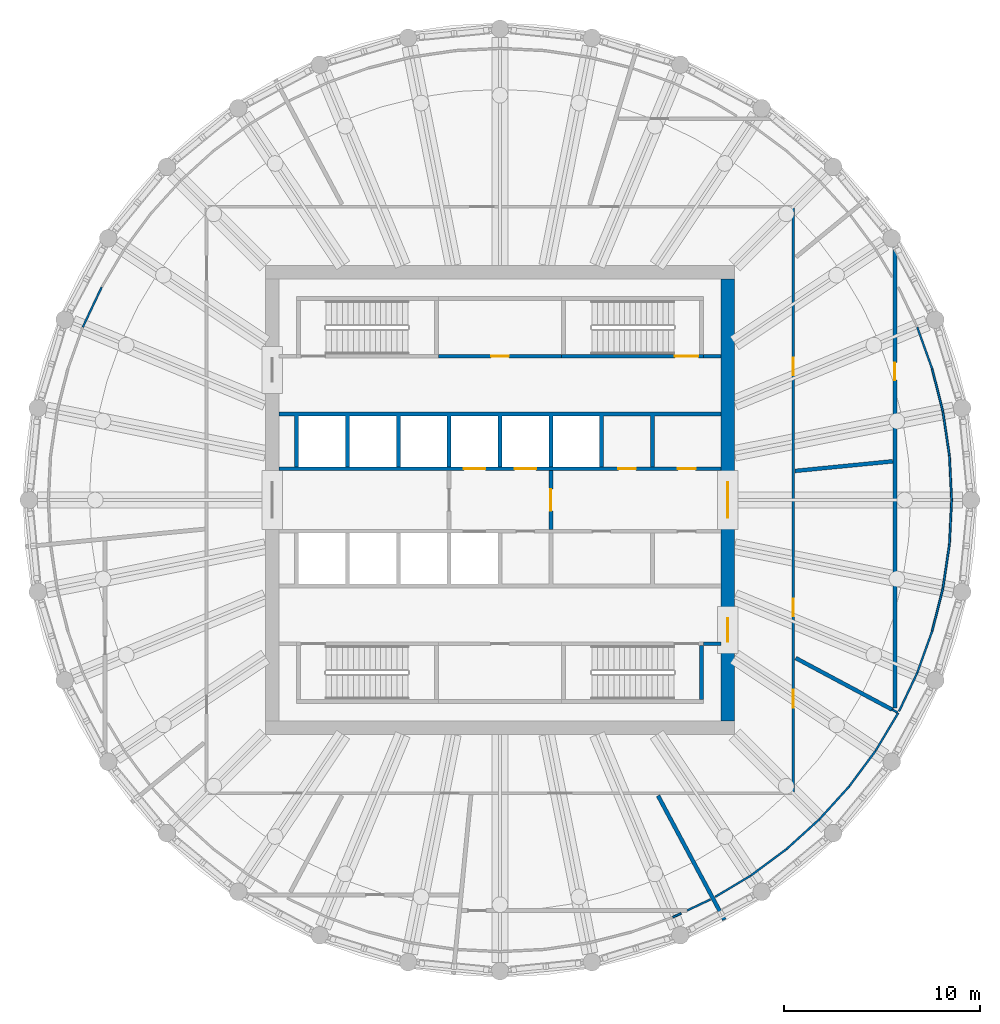
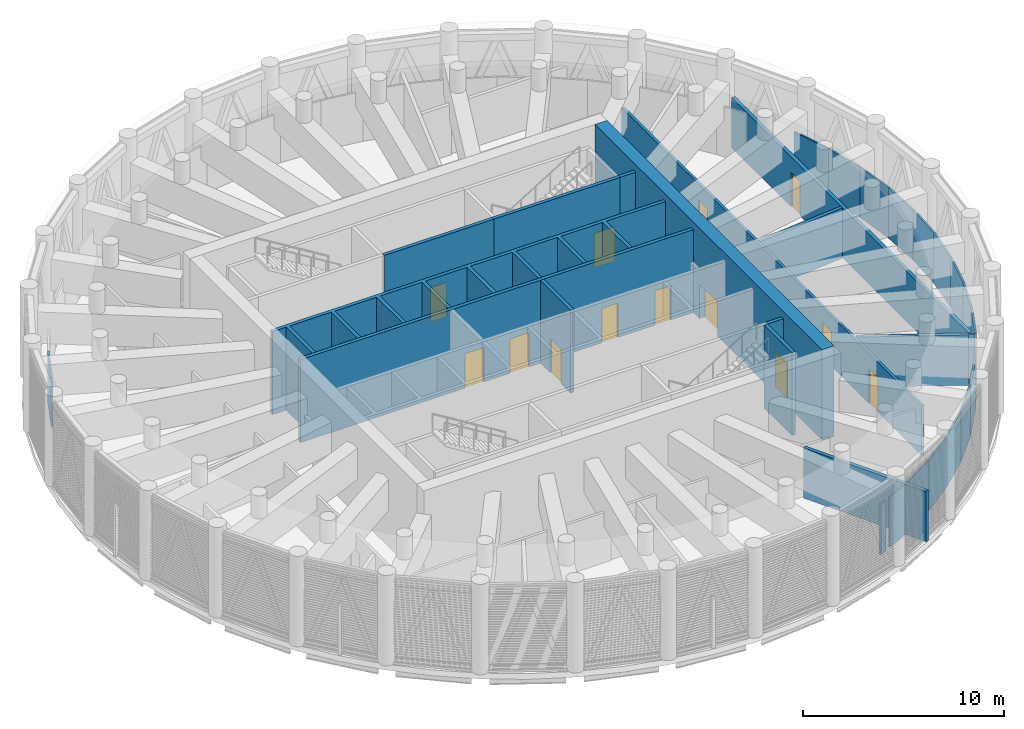
# One storey, part 7 of 19: 33 walls, 13 doors, 13 openings.
"""IFC4 building model written with IfcOpenShell, lengths in metres."""

from ifc_helpers import new_model, si_unit, direction, frame, frame_2d, origin, place, context, subcontext, project, spatial, polyline, rectangle, outline, extrude, material, layer, layer_set, type_object, element, fill, save


model = new_model("IFC4")

# Units and contexts
model_context = context("Model", 3, precision=1e-05, world=origin(), true_north=direction((0.0, 1.0)))
body_context = subcontext(model_context, "Body", "Model", "MODEL_VIEW")
ifc_project = project(units=[si_unit("LENGTHUNIT", "METRE"), si_unit("AREAUNIT", "SQUARE_METRE"), si_unit("VOLUMEUNIT", "CUBIC_METRE"), si_unit("PLANEANGLEUNIT", "RADIAN"), si_unit("MASSUNIT", "GRAM", prefix="KILO")], contexts=[model_context])

# Site, building, storey
site_placement = place(None, origin())
site = spatial("IfcSite", under=ifc_project, at=site_placement, CompositionType="ELEMENT")
building_placement = place(site_placement, origin())
building = spatial("IfcBuilding", under=site, at=building_placement, Name="Corvane Civic Tower", CompositionType="ELEMENT")
storey_placement = place(building_placement, frame((0.0, 0.0, 319.0)))
storey = spatial("IfcBuildingStorey", under=building, at=storey_placement, Name="L76", CompositionType="ELEMENT", Elevation=319.0)

# Wall, openings, doors
ifc_material_1 = material(Name="Concrete C40/50", Category="concrete")
ifc_layer_1 = layer(ifc_material_1, 0.699951171875)
ifc_layer_set_1 = layer_set([ifc_layer_1], Name="Concrete C40/50")
wall_type_1 = type_object("IfcWallType", Name="CORE WALL 700 C40/50", PredefinedType="SHEAR", material=ifc_layer_set_1)
wall_1_placement = place(storey_placement, frame((11.64990234375, -11.300048828125, 0.0), z_axis=(0.0, 0.0, 1.0), x_axis=(0.0, 1.0, 0.0)))
wall_1 = element("IfcWall", 1, at=wall_1_placement, inside=storey, type_object=wall_type_1, Name="W-L76-core-E", PredefinedType="SHEAR", context=body_context, shape_type="SweptSolid", body=[
    extrude(rectangle(XDim=22.60009765625, YDim=0.699951171875, at=frame_2d((11.300048828125, 0.0))), origin(), (0.0, 0.0, 1.0), 5.5),
])
opening_1_placement = place(wall_1_placement, frame((10.39990234375, 0.0, 0.0)))
opening_1 = element("IfcOpeningElement", 2, at=opening_1_placement, cuts=wall_1, Name="Opening L76.C15", PredefinedType="OPENING", context=body_context, shape_type="SweptSolid", body=[
    extrude(rectangle(XDim=1.800048828125, YDim=2.10009765625, at=frame_2d((0.89990234375, 1.050048828125))), frame((0.0, 0.35986328125, 0.0), z_axis=(0.0, -1.0, 0.0), x_axis=(1.0, 0.0, 0.0)), (0.0, 0.0, 1.0), 0.719970703125),
])
opening_2_placement = place(wall_1_placement, frame((4.050048828125, 0.0, 0.0)))
opening_2 = element("IfcOpeningElement", 3, at=opening_2_placement, cuts=wall_1, Name="Opening L76.C17", PredefinedType="OPENING", context=body_context, shape_type="SweptSolid", body=[
    extrude(rectangle(XDim=1.199951171875, YDim=2.10009765625, at=frame_2d((0.60009765625, 1.050048828125))), frame((0.0, 0.35986328125, 0.0), z_axis=(0.0, -1.0, 0.0), x_axis=(1.0, 0.0, 0.0)), (0.0, 0.0, 1.0), 0.719970703125),
])
ifc_material_2 = material(Name="Steel fire door leaf", Category="steel")
door_type_1 = type_object("IfcDoorType", Name="CR-DOOR-CORE-1800", OperationType="DOUBLE_DOOR_SINGLE_SWING", PredefinedType="DOOR", material=ifc_material_2)
door_1_placement = place(opening_1_placement, origin())
door_1 = element("IfcDoor", 4, at=door_1_placement, inside=storey, type_object=door_type_1, Name="L76 door", OperationType="DOUBLE_DOOR_SINGLE_SWING", OverallHeight=2.10009765625, OverallWidth=1.800048828125, PredefinedType="DOOR", context=body_context, shape_type="SweptSolid", body=[
    extrude(rectangle(XDim=1.800048828125, YDim=2.10009765625, at=frame_2d((0.89990234375, 1.050048828125))), frame((0.0, 0.02490234375, 0.0), z_axis=(0.0, -1.0, 0.0), x_axis=(1.0, 0.0, 0.0)), (0.0, 0.0, 1.0), 0.050048828125),
])
fill(opening_1, door_1)
door_2_placement = place(opening_2_placement, origin())
door_2 = element("IfcDoor", 5, at=door_2_placement, inside=storey, type_object=door_type_1, Name="L76 door", OperationType="DOUBLE_DOOR_SINGLE_SWING", OverallHeight=2.10009765625, OverallWidth=1.199951171875, PredefinedType="DOOR", context=body_context, shape_type="SweptSolid", body=[
    extrude(rectangle(XDim=1.199951171875, YDim=2.10009765625, at=frame_2d((0.60009765625, 1.050048828125))), frame((0.0, 0.02490234375, 0.0), z_axis=(0.0, -1.0, 0.0), x_axis=(1.0, 0.0, 0.0)), (0.0, 0.0, 1.0), 0.050048828125),
])
fill(opening_2, door_2)

ifc_material_3 = material(Name="Concrete C30/37", Category="concrete")
ifc_layer_2 = layer(ifc_material_3, 0.199951171875)
ifc_layer_set_2 = layer_set([ifc_layer_2], Name="Concrete C30/37")
wall_type_2 = type_object("IfcWallType", Name="CR-WALL-200", PredefinedType="PARTITIONING", material=ifc_layer_set_2)
wall_2_placement = place(storey_placement, frame((-11.300048828125, 1.60009765625, 0.0), z_axis=(0.0, 0.0, 1.0), x_axis=(1.0, 0.0, 0.0)))
wall_2 = element("IfcWall", 6, at=wall_2_placement, inside=storey, type_object=wall_type_2, Name="L76 lift shaft wall", PredefinedType="PARTITIONING", context=body_context, shape_type="SweptSolid", body=[
    extrude(rectangle(XDim=22.60009765625, YDim=0.199951171875, at=frame_2d((11.300048828125, 0.0))), origin(), (0.0, 0.0, 1.0), 5.050048828125),
])
opening_3_placement = place(wall_2_placement, frame((9.449951171875, 0.0, 0.0)))
opening_3 = element("IfcOpeningElement", 7, at=opening_3_placement, cuts=wall_2, Name="Opening LD", PredefinedType="OPENING", context=body_context, shape_type="SweptSolid", body=[
    extrude(rectangle(XDim=1.10009765625, YDim=2.10009765625, at=frame_2d((0.550048828125, 1.050048828125))), frame((0.0, 0.10986328125, 0.0), z_axis=(0.0, -1.0, 0.0), x_axis=(1.0, 0.0, 0.0)), (0.0, 0.0, 1.0), 0.219970703125),
])
opening_4_placement = place(wall_2_placement, frame((12.050048828125, 0.0, 0.0)))
opening_4 = element("IfcOpeningElement", 8, at=opening_4_placement, cuts=wall_2, Name="Opening LD", PredefinedType="OPENING", context=body_context, shape_type="SweptSolid", body=[
    extrude(rectangle(XDim=1.10009765625, YDim=2.10009765625, at=frame_2d((0.550048828125, 1.050048828125))), frame((0.0, 0.10986328125, 0.0), z_axis=(0.0, -1.0, 0.0), x_axis=(1.0, 0.0, 0.0)), (0.0, 0.0, 1.0), 0.219970703125),
])
opening_5_placement = place(wall_2_placement, frame((17.35009765625, 0.0, 0.0)))
opening_5 = element("IfcOpeningElement", 9, at=opening_5_placement, cuts=wall_2, Name="Opening L76.C01", PredefinedType="OPENING", context=body_context, shape_type="SweptSolid", body=[
    extrude(rectangle(XDim=0.89990234375, YDim=2.10009765625, at=frame_2d((0.449951171875, 1.050048828125))), frame((0.0, 0.10986328125, 0.0), z_axis=(0.0, -1.0, 0.0), x_axis=(1.0, 0.0, 0.0)), (0.0, 0.0, 1.0), 0.219970703125),
])
opening_6_placement = place(wall_2_placement, frame((20.39990234375, 0.0, 0.0)))
opening_6 = element("IfcOpeningElement", 10, at=opening_6_placement, cuts=wall_2, Name="Opening L76.C02", PredefinedType="OPENING", context=body_context, shape_type="SweptSolid", body=[
    extrude(rectangle(XDim=0.89990234375, YDim=2.10009765625, at=frame_2d((0.449951171875, 1.050048828125))), frame((0.0, 0.10986328125, 0.0), z_axis=(0.0, -1.0, 0.0), x_axis=(1.0, 0.0, 0.0)), (0.0, 0.0, 1.0), 0.219970703125),
])
ifc_material_4 = material(Name="Steel fire door leaf", Category="steel")
door_type_2 = type_object("IfcDoorType", Name="CR-DOOR-900", OperationType="SINGLE_SWING_LEFT", PredefinedType="DOOR", material=ifc_material_4)
door_3_placement = place(opening_5_placement, origin())
door_3 = element("IfcDoor", 11, at=door_3_placement, inside=storey, type_object=door_type_2, Name="L76 door", OperationType="SINGLE_SWING_LEFT", OverallHeight=2.10009765625, OverallWidth=0.89990234375, PredefinedType="DOOR", context=body_context, shape_type="SweptSolid", body=[
    extrude(rectangle(XDim=0.89990234375, YDim=2.10009765625, at=frame_2d((0.449951171875, 1.050048828125))), frame((0.0, 0.02490234375, 0.0), z_axis=(0.0, -1.0, 0.0), x_axis=(1.0, 0.0, 0.0)), (0.0, 0.0, 1.0), 0.050048828125),
])
fill(opening_5, door_3)
door_4_placement = place(opening_6_placement, origin())
door_4 = element("IfcDoor", 12, at=door_4_placement, inside=storey, type_object=door_type_2, Name="L76 door", OperationType="SINGLE_SWING_LEFT", OverallHeight=2.10009765625, OverallWidth=0.89990234375, PredefinedType="DOOR", context=body_context, shape_type="SweptSolid", body=[
    extrude(rectangle(XDim=0.89990234375, YDim=2.10009765625, at=frame_2d((0.449951171875, 1.050048828125))), frame((0.0, 0.02490234375, 0.0), z_axis=(0.0, -1.0, 0.0), x_axis=(1.0, 0.0, 0.0)), (0.0, 0.0, 1.0), 0.050048828125),
])
fill(opening_6, door_4)
ifc_material_5 = material(Name="Stainless steel 316 door leaves", Category="steel")
door_type_3 = type_object("IfcDoorType", Name="LD", OperationType="DOUBLE_DOOR_SLIDING", PredefinedType="DOOR", material=ifc_material_5)
door_5_placement = place(opening_3_placement, origin())
door_5 = element("IfcDoor", 13, at=door_5_placement, inside=storey, type_object=door_type_3, Name="L76 landing door", OperationType="DOUBLE_DOOR_SLIDING", OverallHeight=2.10009765625, OverallWidth=1.10009765625, PredefinedType="DOOR", context=body_context, shape_type="SweptSolid", body=[
    extrude(rectangle(XDim=1.10009765625, YDim=2.10009765625, at=frame_2d((0.550048828125, 1.050048828125))), frame((0.0, 0.02490234375, 0.0), z_axis=(0.0, -1.0, 0.0), x_axis=(1.0, 0.0, 0.0)), (0.0, 0.0, 1.0), 0.050048828125),
])
fill(opening_3, door_5)
door_6_placement = place(opening_4_placement, origin())
door_6 = element("IfcDoor", 14, at=door_6_placement, inside=storey, type_object=door_type_3, Name="L76 landing door", OperationType="DOUBLE_DOOR_SLIDING", OverallHeight=2.10009765625, OverallWidth=1.10009765625, PredefinedType="DOOR", context=body_context, shape_type="SweptSolid", body=[
    extrude(rectangle(XDim=1.10009765625, YDim=2.10009765625, at=frame_2d((0.550048828125, 1.050048828125))), frame((0.0, 0.02490234375, 0.0), z_axis=(0.0, -1.0, 0.0), x_axis=(1.0, 0.0, 0.0)), (0.0, 0.0, 1.0), 0.050048828125),
])
fill(opening_4, door_6)

# Wall, opening, door
wall_3_placement = place(storey_placement, frame((-3.14990234375, 7.35009765625, 0.0), z_axis=(0.0, 0.0, 1.0), x_axis=(1.0, 0.0, 0.0)))
wall_3 = element("IfcWall", 15, at=wall_3_placement, inside=storey, type_object=wall_type_2, Name="L76 core partition wall", PredefinedType="PARTITIONING", context=body_context, shape_type="SweptSolid", body=[
    extrude(rectangle(XDim=6.2998046875, YDim=0.199951171875, at=frame_2d((3.14990234375, 0.0))), origin(), (0.0, 0.0, 1.0), 5.050048828125),
])
opening_7_placement = place(wall_3_placement, frame((2.699951171875, 0.0, 0.0)))
opening_7 = element("IfcOpeningElement", 16, at=opening_7_placement, cuts=wall_3, Name="Opening L76.C06", PredefinedType="OPENING", context=body_context, shape_type="SweptSolid", body=[
    extrude(rectangle(XDim=0.89990234375, YDim=2.10009765625, at=frame_2d((0.449951171875, 1.050048828125))), frame((0.0, 0.10986328125, 0.0), z_axis=(0.0, -1.0, 0.0), x_axis=(1.0, 0.0, 0.0)), (0.0, 0.0, 1.0), 0.219970703125),
])
door_7_placement = place(opening_7_placement, origin())
door_7 = element("IfcDoor", 17, at=door_7_placement, inside=storey, type_object=door_type_2, Name="L76 door", OperationType="SINGLE_SWING_LEFT", OverallHeight=2.10009765625, OverallWidth=0.89990234375, PredefinedType="DOOR", context=body_context, shape_type="SweptSolid", body=[
    extrude(rectangle(XDim=0.89990234375, YDim=2.10009765625, at=frame_2d((0.449951171875, 1.050048828125))), frame((0.0, 0.02490234375, 0.0), z_axis=(0.0, -1.0, 0.0), x_axis=(1.0, 0.0, 0.0)), (0.0, 0.0, 1.0), 0.050048828125),
])
fill(opening_7, door_7)

wall_4_placement = place(storey_placement, frame((2.60009765625, -1.5, 0.0), z_axis=(0.0, 0.0, 1.0), x_axis=(0.0, 1.0, 0.0)))
wall_4 = element("IfcWall", 18, at=wall_4_placement, inside=storey, type_object=wall_type_2, Name="L76 firefighting lobby wall", PredefinedType="PARTITIONING", context=body_context, shape_type="SweptSolid", body=[
    extrude(rectangle(XDim=3.0, YDim=0.199951171875, at=frame_2d((1.5, 0.0))), origin(), (0.0, 0.0, 1.0), 5.050048828125),
])
opening_8_placement = place(wall_4_placement, frame((0.949951171875, 0.0, 0.0)))
opening_8 = element("IfcOpeningElement", 19, at=opening_8_placement, cuts=wall_4, Name="Opening L76.C13", PredefinedType="OPENING", context=body_context, shape_type="SweptSolid", body=[
    extrude(rectangle(XDim=1.10009765625, YDim=2.10009765625, at=frame_2d((0.550048828125, 1.050048828125))), frame((0.0, 0.10986328125, 0.0), z_axis=(0.0, -1.0, 0.0), x_axis=(1.0, 0.0, 0.0)), (0.0, 0.0, 1.0), 0.219970703125),
])
ifc_material_6 = material(Name="Steel fire door leaf", Category="steel")
door_type_4 = type_object("IfcDoorType", Name="CR-DOOR-FFL-1100", OperationType="SINGLE_SWING_LEFT", PredefinedType="DOOR", material=ifc_material_6)
door_8_placement = place(opening_8_placement, origin())
door_8 = element("IfcDoor", 20, at=door_8_placement, inside=storey, type_object=door_type_4, Name="L76 lobby door", OperationType="SINGLE_SWING_LEFT", OverallHeight=2.10009765625, OverallWidth=1.10009765625, PredefinedType="DOOR", context=body_context, shape_type="SweptSolid", body=[
    extrude(rectangle(XDim=1.10009765625, YDim=2.10009765625, at=frame_2d((0.550048828125, 1.050048828125))), frame((0.0, 0.02490234375, 0.0), z_axis=(0.0, -1.0, 0.0), x_axis=(1.0, 0.0, 0.0)), (0.0, 0.0, 1.0), 0.050048828125),
])
fill(opening_8, door_8)

# Walls
wall_5_placement = place(storey_placement, origin())
element("IfcWall", 21, at=wall_5_placement, inside=storey, type_object=wall_type_2, Name="L76 core partition wall", PredefinedType="PARTITIONING", context=body_context, shape_type="SweptSolid", body=[
    extrude(outline(polyline([(0.10009765625, 1.699951171875), (-0.10009765625, 1.699951171875), (-0.10009765625, 4.300048828125), (-2.5, 4.300048828125), (-2.5, 1.699951171875), (-2.699951171875, 1.699951171875), (-2.699951171875, 4.300048828125), (-5.10009765625, 4.300048828125), (-5.10009765625, 1.699951171875), (-5.300048828125, 1.699951171875), (-5.300048828125, 4.300048828125), (-7.699951171875, 4.300048828125), (-7.699951171875, 1.699951171875), (-7.89990234375, 1.699951171875), (-7.89990234375, 4.300048828125), (-10.300048828125, 4.300048828125), (-10.300048828125, 1.699951171875), (-10.5, 1.699951171875), (-10.5, 4.300048828125), (-11.300048828125, 4.300048828125), (-11.300048828125, 4.5), (11.300048828125, 4.5), (11.300048828125, 4.300048828125), (7.89990234375, 4.300048828125), (7.89990234375, 1.699951171875), (7.699951171875, 1.699951171875), (7.699951171875, 4.300048828125), (5.300048828125, 4.300048828125), (5.300048828125, 1.699951171875), (5.10009765625, 1.699951171875), (5.10009765625, 4.300048828125), (2.699951171875, 4.300048828125), (2.699951171875, 1.699951171875), (2.5, 1.699951171875), (2.5, 4.300048828125), (0.10009765625, 4.300048828125), (0.10009765625, 1.699951171875)])), origin(), (0.0, 0.0, 1.0), 5.050048828125),
])
wall_6_placement = place(storey_placement, origin())
element("IfcWall", 22, at=wall_6_placement, inside=storey, type_object=wall_type_2, Name="L76 core partition wall", PredefinedType="PARTITIONING", context=body_context, shape_type="SweptSolid", body=[
    extrude(outline(polyline([(11.300048828125, -7.449951171875), (10.39990234375, -7.449951171875), (10.39990234375, -7.25), (11.300048828125, -7.25), (11.300048828125, -7.449951171875)])), origin(), (0.0, 0.0, 1.0), 5.050048828125),
])
wall_7_placement = place(storey_placement, origin())
element("IfcWall", 23, at=wall_7_placement, inside=storey, type_object=wall_type_2, Name="L76 core partition wall", PredefinedType="PARTITIONING", context=body_context, shape_type="SweptSolid", body=[
    extrude(outline(polyline([(10.39990234375, 7.25), (10.39990234375, 7.449951171875), (11.300048828125, 7.449951171875), (11.300048828125, 7.25), (10.39990234375, 7.25)])), origin(), (0.0, 0.0, 1.0), 5.050048828125),
])
ifc_material_7 = material(Name="Plasterboard")
ifc_layer_3 = layer(ifc_material_7, 0.10009765625)
ifc_layer_set_3 = layer_set([ifc_layer_3], Name="Plasterboard")
wall_type_3 = type_object("IfcWallType", Name="Partition 100 plasterboard on studs", PredefinedType="PARTITIONING", material=ifc_layer_set_3)
wall_8_placement = place(storey_placement, frame((22.987548828125, 2.26416015625, 0.0), z_axis=(0.0, 0.0, 1.0), x_axis=(0.04900295216, -0.998798633699, 0.0)))
element("IfcWall", 24, at=wall_8_placement, inside=storey, type_object=wall_type_3, Name="Partition L76.021", PredefinedType="PARTITIONING", context=body_context, shape_type="SweptSolid", body=[
    extrude(rectangle(XDim=2.266845703125, YDim=0.10009765625, at=frame_2d((1.13330078125, 0.0))), origin(), (0.0, 0.0, 1.0), 3.050048828125),
])
wall_9_placement = place(storey_placement, frame((22.655029296875, 4.50634765625, 0.0), z_axis=(0.0, 0.0, 1.0), x_axis=(0.146696991556, -0.989181476105, 0.0)))
element("IfcWall", 25, at=wall_9_placement, inside=storey, type_object=wall_type_3, Name="Partition L76.023", PredefinedType="PARTITIONING", context=body_context, shape_type="SweptSolid", body=[
    extrude(rectangle(XDim=2.2666015625, YDim=0.10009765625, at=frame_2d((1.13330078125, 0.0))), origin(), (0.0, 0.0, 1.0), 3.050048828125),
])
wall_10_placement = place(storey_placement, frame((22.10400390625, 6.705078125, 0.0), z_axis=(0.0, 0.0, 1.0), x_axis=(0.243093123489, -0.970002955311, 0.0)))
element("IfcWall", 26, at=wall_10_placement, inside=storey, type_object=wall_type_3, Name="Partition L76.025", PredefinedType="PARTITIONING", context=body_context, shape_type="SweptSolid", body=[
    extrude(rectangle(XDim=2.266845703125, YDim=0.10009765625, at=frame_2d((1.13330078125, 0.0))), origin(), (0.0, 0.0, 1.0), 3.050048828125),
])
wall_11_placement = place(storey_placement, frame((21.340576171875, 8.83935546875, 0.0), z_axis=(0.0, 0.0, 1.0), x_axis=(0.336800325534, -0.941576093962, 0.0)))
element("IfcWall", 27, at=wall_11_placement, inside=storey, type_object=wall_type_3, Name="Partition L76.027", PredefinedType="PARTITIONING", context=body_context, shape_type="SweptSolid", body=[
    extrude(rectangle(XDim=2.2666015625, YDim=0.10009765625, at=frame_2d((1.13330078125, 0.0))), origin(), (0.0, 0.0, 1.0), 3.050048828125),
])
wall_12_placement = place(storey_placement, frame((20.052978515625, -10.718505859375, 0.0), z_axis=(0.0, 0.0, 1.0), x_axis=(0.882004841034, -0.471240342493, 0.0)))
element("IfcWall", 28, at=wall_12_placement, inside=storey, type_object=wall_type_3, Name="Partition L76.043", PredefinedType="PARTITIONING", context=body_context, shape_type="SweptSolid", body=[
    extrude(rectangle(XDim=0.310791015625, YDim=0.10009765625, at=frame_2d((0.1552734375, 0.0))), origin(), (0.0, 0.0, 1.0), 3.050048828125),
])
wall_13_placement = place(storey_placement, frame((9.577392578125, -20.991455078125, 0.0), z_axis=(0.0, 0.0, 1.0), x_axis=(0.90397669768, 0.427581723243, 0.0)))
element("IfcWall", 29, at=wall_13_placement, inside=storey, type_object=wall_type_3, Name="Partition L76.062", PredefinedType="PARTITIONING", context=body_context, shape_type="SweptSolid", body=[
    extrude(rectangle(XDim=1.310302734375, YDim=0.10009765625, at=frame_2d((0.6552734375, 0.0))), origin(), (0.0, 0.0, 1.0), 3.050048828125),
])
wall_14_placement = place(storey_placement, frame((8.83935546875, -21.340576171875, 0.0), z_axis=(0.0, 0.0, 1.0), x_axis=(0.903801434436, 0.427952061697, 0.0)))
element("IfcWall", 30, at=wall_14_placement, inside=storey, type_object=wall_type_3, Name="Partition L76.064", PredefinedType="PARTITIONING", context=body_context, shape_type="SweptSolid", body=[
    extrude(rectangle(XDim=0.468994140625, YDim=0.10009765625, at=frame_2d((0.234375, 0.0))), origin(), (0.0, 0.0, 1.0), 3.050048828125),
])
wall_15_placement = place(storey_placement, frame((11.0087890625, -20.29931640625, 0.0), z_axis=(0.0, 0.0, 1.0), x_axis=(0.857756169045, 0.514056761909, 0.0)))
element("IfcWall", 31, at=wall_15_placement, inside=storey, type_object=wall_type_3, Name="Partition L76.065", PredefinedType="PARTITIONING", context=body_context, shape_type="SweptSolid", body=[
    extrude(rectangle(XDim=2.126708984375, YDim=0.10009765625, at=frame_2d((1.0634765625, 0.0))), origin(), (0.0, 0.0, 1.0), 3.050048828125),
])
wall_16_placement = place(storey_placement, frame((12.8330078125, -19.2060546875, 0.0), z_axis=(0.0, 0.0, 1.0), x_axis=(0.803181151022, 0.595734872778, 0.0)))
element("IfcWall", 32, at=wall_16_placement, inside=storey, type_object=wall_type_3, Name="Partition L76.067", PredefinedType="PARTITIONING", context=body_context, shape_type="SweptSolid", body=[
    extrude(rectangle(XDim=2.2666015625, YDim=0.10009765625, at=frame_2d((1.13330078125, 0.0))), origin(), (0.0, 0.0, 1.0), 3.050048828125),
])
for number, where, z_axis, x_axis, name in (
    (33, (14.653564453125, -17.855712890625, 0.0), (0.0, 0.0, 1.0), (0.740933362026, 0.671578553139, 0.0), "Partition L76.069"),
    (34, (16.333251953125, -16.333251953125, 0.0), (0.0, 0.0, 1.0), (0.671578553139, 0.740933362026, 0.0), "Partition L76.071"),
):
    element("IfcWall", number, at=place(storey_placement, frame(where, z_axis=z_axis, x_axis=x_axis)), inside=storey, type_object=wall_type_3, Name=name, PredefinedType="PARTITIONING", context=body_context, shape_type="SweptSolid", body=[
        extrude(rectangle(XDim=2.26708984375, YDim=0.10009765625, at=frame_2d((1.133544921875, 0.0))), origin(), (0.0, 0.0, 1.0), 3.050048828125),
    ])
for number, where, z_axis, x_axis, name in (
    (35, (17.855712890625, -14.653564453125, 0.0), (0.0, 0.0, 1.0), (0.595734872778, 0.803181151022, 0.0), "Partition L76.073"),
    (36, (19.2060546875, -12.8330078125, 0.0), (0.0, 0.0, 1.0), (0.513988798232, 0.857796896294, 0.0), "Partition L76.075"),
):
    element("IfcWall", number, at=place(storey_placement, frame(where, z_axis=z_axis, x_axis=x_axis)), inside=storey, type_object=wall_type_3, Name=name, PredefinedType="PARTITIONING", context=body_context, shape_type="SweptSolid", body=[
        extrude(rectangle(XDim=2.2666015625, YDim=0.10009765625, at=frame_2d((1.13330078125, 0.0))), origin(), (0.0, 0.0, 1.0), 3.050048828125),
    ])
wall_17_placement = place(storey_placement, frame((-21.340576171875, 8.83935546875, 0.0), z_axis=(0.0, 0.0, 1.0), x_axis=(0.427637258426, 0.903950427405, 0.0)))
element("IfcWall", 37, at=wall_17_placement, inside=storey, type_object=wall_type_3, Name="Partition L76.077", PredefinedType="PARTITIONING", context=body_context, shape_type="SweptSolid", body=[
    extrude(rectangle(XDim=2.26708984375, YDim=0.10009765625, at=frame_2d((1.133544921875, 0.0))), origin(), (0.0, 0.0, 1.0), 3.050048828125),
])
wall_18_placement = place(storey_placement, frame((20.409912109375, -10.80712890625, 0.0), z_axis=(0.0, 0.0, 1.0), x_axis=(0.42754628593, 0.903993458708, 0.0)))
element("IfcWall", 38, at=wall_18_placement, inside=storey, type_object=wall_type_3, Name="Partition L76.078", PredefinedType="PARTITIONING", context=body_context, shape_type="SweptSolid", body=[
    extrude(rectangle(XDim=2.1767578125, YDim=0.10009765625, at=frame_2d((1.08837890625, 0.0))), origin(), (0.0, 0.0, 1.0), 3.050048828125),
])
wall_19_placement = place(storey_placement, frame((21.340576171875, -8.83935546875, 0.0), z_axis=(0.0, 0.0, 1.0), x_axis=(0.336800325534, 0.941576093962, 0.0)))
element("IfcWall", 39, at=wall_19_placement, inside=storey, type_object=wall_type_3, Name="Partition L76.079", PredefinedType="PARTITIONING", context=body_context, shape_type="SweptSolid", body=[
    extrude(rectangle(XDim=2.2666015625, YDim=0.10009765625, at=frame_2d((1.13330078125, 0.0))), origin(), (0.0, 0.0, 1.0), 3.050048828125),
])
wall_20_placement = place(storey_placement, frame((22.10400390625, -6.705078125, 0.0), z_axis=(0.0, 0.0, 1.0), x_axis=(0.243093123489, 0.970002955311, 0.0)))
element("IfcWall", 40, at=wall_20_placement, inside=storey, type_object=wall_type_3, Name="Partition L76.081", PredefinedType="PARTITIONING", context=body_context, shape_type="SweptSolid", body=[
    extrude(rectangle(XDim=2.266845703125, YDim=0.10009765625, at=frame_2d((1.13330078125, 0.0))), origin(), (0.0, 0.0, 1.0), 3.050048828125),
])
wall_21_placement = place(storey_placement, frame((22.655029296875, -4.50634765625, 0.0), z_axis=(0.0, 0.0, 1.0), x_axis=(0.146696991556, 0.989181476105, 0.0)))
element("IfcWall", 41, at=wall_21_placement, inside=storey, type_object=wall_type_3, Name="Partition L76.083", PredefinedType="PARTITIONING", context=body_context, shape_type="SweptSolid", body=[
    extrude(rectangle(XDim=2.2666015625, YDim=0.10009765625, at=frame_2d((1.13330078125, 0.0))), origin(), (0.0, 0.0, 1.0), 3.050048828125),
])
wall_22_placement = place(storey_placement, frame((22.987548828125, -2.26416015625, 0.0), z_axis=(0.0, 0.0, 1.0), x_axis=(0.04900295216, 0.998798633699, 0.0)))
element("IfcWall", 42, at=wall_22_placement, inside=storey, type_object=wall_type_3, Name="Partition L76.085", PredefinedType="PARTITIONING", context=body_context, shape_type="SweptSolid", body=[
    extrude(rectangle(XDim=2.266845703125, YDim=0.10009765625, at=frame_2d((1.13330078125, 0.0))), origin(), (0.0, 0.0, 1.0), 3.050048828125),
])
ifc_material_8 = material(Name="Gypsum fibreboard")
ifc_layer_4 = layer(ifc_material_8, 0.199951171875)
ifc_layer_set_4 = layer_set([ifc_layer_4], Name="Gypsum fibreboard")
wall_type_4 = type_object("IfcWallType", Name="Plant and refuge wall 200 EI 120", PredefinedType="PARTITIONING", material=ifc_layer_set_4)
wall_23_placement = place(storey_placement, frame((8.0830078125, -15.1220703125, 0.0), z_axis=(0.0, 0.0, 1.0), x_axis=(0.471369090084, -0.881936041283, 0.0)))
element("IfcWall", 43, at=wall_23_placement, inside=storey, type_object=wall_type_4, Name="Partition L76.002", PredefinedType="PARTITIONING", context=body_context, shape_type="SweptSolid", body=[
    extrude(rectangle(XDim=7.20361328125, YDim=0.199951171875, at=frame_2d((3.601806640625, 0.0))), origin(), (0.0, 0.0, 1.0), 3.050048828125),
])
wall_24_placement = place(storey_placement, frame((15.1220703125, -8.0830078125, 0.0), z_axis=(0.0, 0.0, 1.0), x_axis=(0.881930729717, -0.471379027939, 0.0)))
element("IfcWall", 44, at=wall_24_placement, inside=storey, type_object=wall_type_4, Name="Partition L76.011", PredefinedType="PARTITIONING", context=body_context, shape_type="SweptSolid", body=[
    extrude(rectangle(XDim=5.591064453125, YDim=0.199951171875, at=frame_2d((2.79541015625, 0.0))), origin(), (0.0, 0.0, 1.0), 3.050048828125),
])

# Wall, opening, door
wall_25_placement = place(storey_placement, frame((20.199951171875, -10.63037109375, 0.0), z_axis=(0.0, 0.0, 1.0), x_axis=(0.0, 1.0, 0.0)))
wall_25 = element("IfcWall", 45, at=wall_25_placement, inside=storey, type_object=wall_type_4, Name="Partition L76.012", PredefinedType="PARTITIONING", context=body_context, shape_type="SweptSolid", body=[
    extrude(rectangle(XDim=23.578857421875, YDim=0.199951171875, at=frame_2d((11.78955078125, 0.0))), origin(), (0.0, 0.0, 1.0), 3.050048828125),
])
opening_9_placement = place(wall_25_placement, frame((16.76220703125, 0.0, 0.0)))
opening_9 = element("IfcOpeningElement", 46, at=opening_9_placement, cuts=wall_25, Name="Opening L76.013", PredefinedType="OPENING", context=body_context, shape_type="SweptSolid", body=[
    extrude(rectangle(XDim=0.89990234375, YDim=2.10009765625, at=frame_2d((0.449951171875, 1.050048828125))), frame((0.0, 0.10986328125, 0.0), z_axis=(0.0, -1.0, 0.0), x_axis=(1.0, 0.0, 0.0)), (0.0, 0.0, 1.0), 0.219970703125),
])
ifc_material_9 = material(Name="Steel and timber", Category="steel")
door_type_5 = type_object("IfcDoorType", Name="Fire door FD30S 900", OperationType="NOTDEFINED", PredefinedType="DOOR", material=ifc_material_9)
door_9_placement = place(opening_9_placement, frame((0.89990234375, 0.0, 0.0), z_axis=(0.0, 0.0, 1.0), x_axis=(-1.0, 0.0, 0.0)))
door_9 = element("IfcDoor", 47, at=door_9_placement, inside=storey, type_object=door_type_5, Name="Door L76.013", OperationType="SINGLE_SWING_LEFT", OverallHeight=2.10009765625, OverallWidth=0.89990234375, PredefinedType="DOOR", context=body_context, shape_type="SweptSolid", body=[
    extrude(rectangle(XDim=0.89990234375, YDim=2.10009765625, at=frame_2d((0.449951171875, 1.050048828125))), frame((0.0, 0.02490234375, 0.0), z_axis=(0.0, -1.0, 0.0), x_axis=(1.0, 0.0, 0.0)), (0.0, 0.0, 1.0), 0.050048828125),
])
fill(opening_9, door_9)

# Wall
wall_26_placement = place(storey_placement, frame((15.084716796875, 1.485595703125, 0.0), z_axis=(0.0, 0.0, 1.0), x_axis=(0.99518127313, 0.098052198406, 0.0)))
element("IfcWall", 48, at=wall_26_placement, inside=storey, type_object=wall_type_4, Name="Partition L76.014", PredefinedType="PARTITIONING", context=body_context, shape_type="SweptSolid", body=[
    extrude(rectangle(XDim=5.029541015625, YDim=0.199951171875, at=frame_2d((2.5146484375, 0.0))), origin(), (0.0, 0.0, 1.0), 3.050048828125),
])

# Wall, opening, door
ifc_material_10 = material(Name="Concrete C50/60", Category="concrete")
ifc_layer_5 = layer(ifc_material_10, 0.199951171875)
ifc_layer_set_5 = layer_set([ifc_layer_5], Name="Concrete C50/60")
wall_type_5 = type_object("IfcWallType", Name="ST-WALL-200", PredefinedType="SHEAR", material=ifc_layer_set_5)
wall_27_placement = place(storey_placement, frame((3.14990234375, 7.35009765625, 0.0), z_axis=(0.0, 0.0, 1.0), x_axis=(1.0, 0.0, 0.0)))
wall_27 = element("IfcWall", 49, at=wall_27_placement, inside=storey, type_object=wall_type_5, Name="L76 stair enclosure wall", PredefinedType="SHEAR", context=body_context, shape_type="SweptSolid", body=[
    extrude(rectangle(XDim=7.25, YDim=0.199951171875, at=frame_2d((3.625, 0.0))), origin(), (0.0, 0.0, 1.0), 5.050048828125),
])
opening_10_placement = place(wall_27_placement, frame((5.800048828125, 0.0, 0.0)))
opening_10 = element("IfcOpeningElement", 50, at=opening_10_placement, cuts=wall_27, Name="Opening L76.C08", PredefinedType="OPENING", context=body_context, shape_type="SweptSolid", body=[
    extrude(rectangle(XDim=1.199951171875, YDim=2.10009765625, at=frame_2d((0.60009765625, 1.050048828125))), frame((0.0, 0.10986328125, 0.0), z_axis=(0.0, -1.0, 0.0), x_axis=(1.0, 0.0, 0.0)), (0.0, 0.0, 1.0), 0.219970703125),
])
ifc_material_11 = material(Name="Steel fire door leaf", Category="steel")
door_type_6 = type_object("IfcDoorType", Name="ST-DOOR-1200", OperationType="SINGLE_SWING_RIGHT", PredefinedType="DOOR", material=ifc_material_11)
door_10_placement = place(opening_10_placement, origin())
door_10 = element("IfcDoor", 51, at=door_10_placement, inside=storey, type_object=door_type_6, Name="L76 stair door", OperationType="SINGLE_SWING_RIGHT", OverallHeight=2.10009765625, OverallWidth=1.199951171875, PredefinedType="DOOR", context=body_context, shape_type="SweptSolid", body=[
    extrude(rectangle(XDim=1.199951171875, YDim=2.10009765625, at=frame_2d((0.60009765625, 1.050048828125))), frame((0.0, 0.02490234375, 0.0), z_axis=(0.0, -1.0, 0.0), x_axis=(1.0, 0.0, 0.0)), (0.0, 0.0, 1.0), 0.050048828125),
])
fill(opening_10, door_10)

# Wall
wall_28_placement = place(storey_placement, origin())
element("IfcWall", 52, at=wall_28_placement, inside=storey, type_object=wall_type_5, Name="L76 stair enclosure wall", PredefinedType="SHEAR", context=body_context, shape_type="SweptSolid", body=[
    extrude(outline(polyline([(10.39990234375, -7.449951171875), (10.39990234375, -10.199951171875), (10.199951171875, -10.199951171875), (10.199951171875, -7.449951171875), (10.39990234375, -7.449951171875)])), origin(), (0.0, 0.0, 1.0), 5.050048828125),
])

# Wall, openings, doors
ifc_material_12 = material(Name="Plasterboard")
ifc_layer_6 = layer(ifc_material_12, 0.14990234375)
ifc_layer_set_6 = layer_set([ifc_layer_6], Name="Plasterboard")
wall_type_6 = type_object("IfcWallType", Name="Tenancy wall 150 EI 60", PredefinedType="PARTITIONING", material=ifc_layer_set_6)
wall_29_placement = place(storey_placement, frame((15.0, -14.925048828125, 0.0), z_axis=(0.0, 0.0, 1.0), x_axis=(0.0, 1.0, 0.0)))
wall_29 = element("IfcWall", 53, at=wall_29_placement, inside=storey, type_object=wall_type_6, Name="Partition L76.009", PredefinedType="PARTITIONING", context=body_context, shape_type="SweptSolid", body=[
    extrude(rectangle(XDim=29.85009765625, YDim=0.14990234375, at=frame_2d((14.925048828125, 0.0))), origin(), (0.0, 0.0, 1.0), 3.050048828125),
])
opening_11_placement = place(wall_29_placement, frame((4.311279296875, 0.0, 0.0)))
opening_11 = element("IfcOpeningElement", 54, at=opening_11_placement, cuts=wall_29, Name="Opening L76.002", PredefinedType="OPENING", context=body_context, shape_type="SweptSolid", body=[
    extrude(rectangle(XDim=0.89990234375, YDim=2.10009765625, at=frame_2d((0.449951171875, 1.050048828125))), frame((0.0, 0.0849609375, 0.0), z_axis=(0.0, -1.0, 0.0), x_axis=(1.0, 0.0, 0.0)), (0.0, 0.0, 1.0), 0.169921875),
])
opening_12_placement = place(wall_29_placement, frame((21.29541015625, 0.0, 0.0)))
opening_12 = element("IfcOpeningElement", 55, at=opening_12_placement, cuts=wall_29, Name="Opening L76.014", PredefinedType="OPENING", context=body_context, shape_type="SweptSolid", body=[
    extrude(rectangle(XDim=0.89990234375, YDim=2.10009765625, at=frame_2d((0.449951171875, 1.050048828125))), frame((0.0, 0.0849609375, 0.0), z_axis=(0.0, -1.0, 0.0), x_axis=(1.0, 0.0, 0.0)), (0.0, 0.0, 1.0), 0.169921875),
])
opening_13_placement = place(wall_29_placement, frame((8.967529296875, 0.0, 0.0)))
opening_13 = element("IfcOpeningElement", 56, at=opening_13_placement, cuts=wall_29, Name="Opening L76.015", PredefinedType="OPENING", context=body_context, shape_type="SweptSolid", body=[
    extrude(rectangle(XDim=0.89990234375, YDim=2.10009765625, at=frame_2d((0.449951171875, 1.050048828125))), frame((0.0, 0.0849609375, 0.0), z_axis=(0.0, -1.0, 0.0), x_axis=(1.0, 0.0, 0.0)), (0.0, 0.0, 1.0), 0.169921875),
])
door_11_placement = place(opening_11_placement, frame((0.89990234375, 0.0, 0.0), z_axis=(0.0, 0.0, 1.0), x_axis=(-1.0, 0.0, 0.0)))
door_11 = element("IfcDoor", 57, at=door_11_placement, inside=storey, type_object=door_type_5, Name="Door L76.002", OperationType="SINGLE_SWING_RIGHT", OverallHeight=2.10009765625, OverallWidth=0.89990234375, PredefinedType="DOOR", context=body_context, shape_type="SweptSolid", body=[
    extrude(rectangle(XDim=0.89990234375, YDim=2.10009765625, at=frame_2d((0.449951171875, 1.050048828125))), frame((0.0, 0.02490234375, 0.0), z_axis=(0.0, -1.0, 0.0), x_axis=(1.0, 0.0, 0.0)), (0.0, 0.0, 1.0), 0.050048828125),
])
fill(opening_11, door_11)
door_12_placement = place(opening_12_placement, frame((0.89990234375, 0.0, 0.0), z_axis=(0.0, 0.0, 1.0), x_axis=(-1.0, 0.0, 0.0)))
door_12 = element("IfcDoor", 58, at=door_12_placement, inside=storey, type_object=door_type_5, Name="Door L76.014", OperationType="SINGLE_SWING_RIGHT", OverallHeight=2.10009765625, OverallWidth=0.89990234375, PredefinedType="DOOR", context=body_context, shape_type="SweptSolid", body=[
    extrude(rectangle(XDim=0.89990234375, YDim=2.10009765625, at=frame_2d((0.449951171875, 1.050048828125))), frame((0.0, 0.02490234375, 0.0), z_axis=(0.0, -1.0, 0.0), x_axis=(1.0, 0.0, 0.0)), (0.0, 0.0, 1.0), 0.050048828125),
])
fill(opening_12, door_12)
door_13_placement = place(opening_13_placement, frame((0.89990234375, 0.0, 0.0), z_axis=(0.0, 0.0, 1.0), x_axis=(-1.0, 0.0, 0.0)))
door_13 = element("IfcDoor", 59, at=door_13_placement, inside=storey, type_object=door_type_5, Name="Door L76.015", OperationType="SINGLE_SWING_LEFT", OverallHeight=2.10009765625, OverallWidth=0.89990234375, PredefinedType="DOOR", context=body_context, shape_type="SweptSolid", body=[
    extrude(rectangle(XDim=0.89990234375, YDim=2.10009765625, at=frame_2d((0.449951171875, 1.050048828125))), frame((0.0, 0.02490234375, 0.0), z_axis=(0.0, -1.0, 0.0), x_axis=(1.0, 0.0, 0.0)), (0.0, 0.0, 1.0), 0.050048828125),
])
fill(opening_13, door_13)

save(model, "model.ifc")
